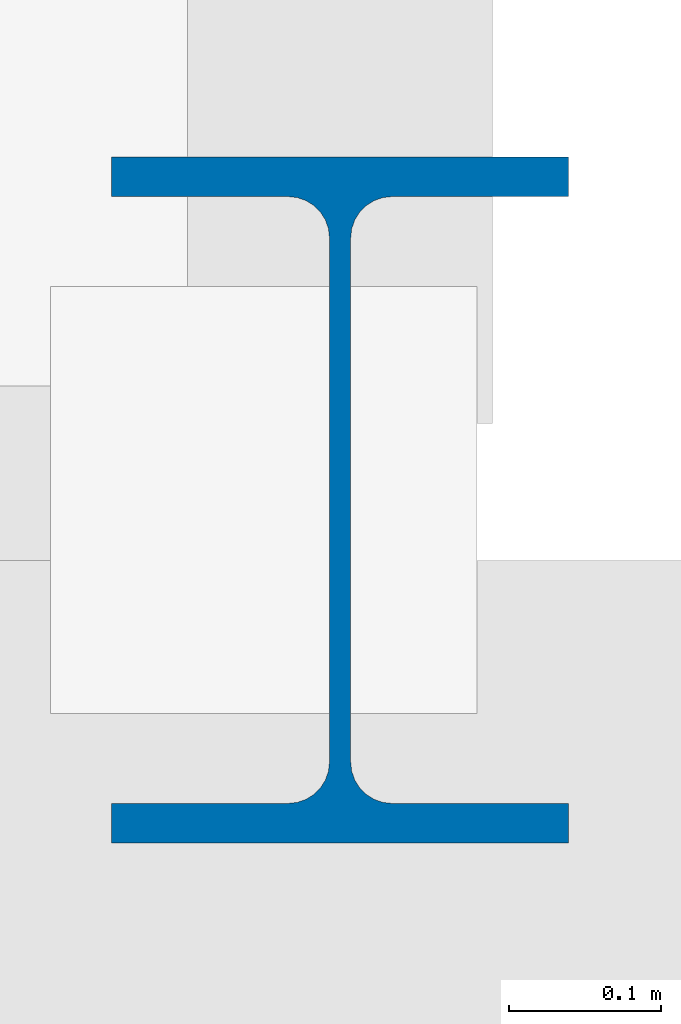
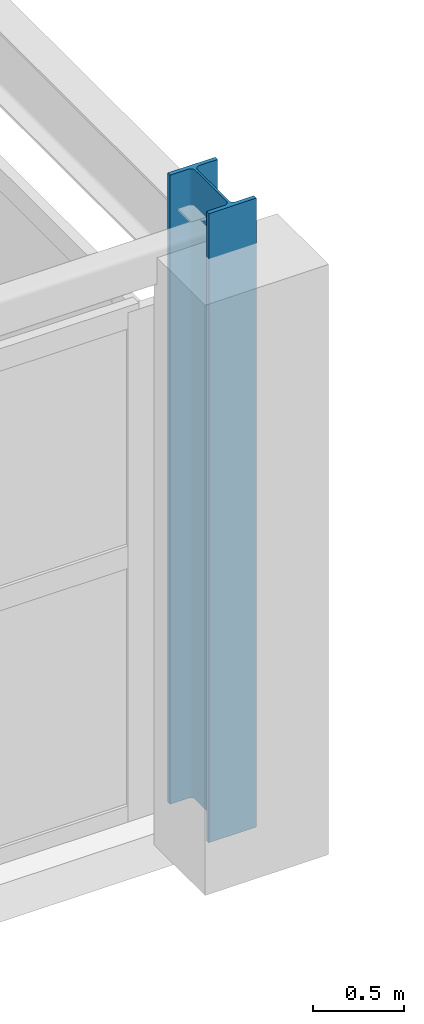
# One storey, part 13 of 81: 1 column.
"""IFC4 building model written with IfcOpenShell, lengths in metres."""

from ifc_helpers import new_model, si_unit, direction, frame, origin, origin_2d, place, context, subcontext, project, spatial, i_section, extrude, material, material_profile, profile_set, type_object, element, save


model = new_model("IFC4")

# Units and contexts
model_context = context("Model", 3, precision=1e-05, world=origin(), true_north=direction((0.0, 1.0)))
body_context = subcontext(model_context, "Body", "Model", "MODEL_VIEW")
ifc_project = project(units=[si_unit("LENGTHUNIT", "METRE"), si_unit("AREAUNIT", "SQUARE_METRE"), si_unit("VOLUMEUNIT", "CUBIC_METRE"), si_unit("PLANEANGLEUNIT", "RADIAN"), si_unit("MASSUNIT", "GRAM", prefix="KILO")], contexts=[model_context])

# Site, building, storey
site_placement = place(None, origin())
site = spatial("IfcSite", under=ifc_project, at=site_placement, CompositionType="ELEMENT")
building_placement = place(site_placement, origin())
building = spatial("IfcBuilding", under=site, at=building_placement, Name="Myrtia Square Station", CompositionType="ELEMENT")
storey_placement = place(building_placement, frame((0.0, 0.0, 10.800048828125)))
storey = spatial("IfcBuildingStorey", under=building, at=storey_placement, Name="L02", CompositionType="ELEMENT", Elevation=10.800048828125)

# Column
ifc_material = material(Name="Steel S355", Category="steel")
ifc_material_profile = material_profile(ifc_material, i_section(OverallWidth=0.300048828125, OverallDepth=0.449951171875, WebThickness=0.013916015625, FlangeThickness=0.02587890625, FilletRadius=0.027099609375, at=origin_2d()), Name="HEB 450")
ifc_profile_set = profile_set([ifc_material_profile], Name="Steel S355")
column_type = type_object("IfcColumnType", Name="COL-HEB450", PredefinedType="COLUMN", material=ifc_profile_set)
column_placement = place(storey_placement, frame((189.0, 86.39990234375, 0.0), z_axis=(0.0, 0.0, 1.0), x_axis=(1.0, 0.0, 0.0)))
element("IfcColumn", 1, at=column_placement, inside=storey, type_object=column_type, Name="Column L02-0991", PredefinedType="COLUMN", context=body_context, shape_type="SweptSolid", body=[
    extrude(i_section(OverallWidth=0.300048828125, OverallDepth=0.449951171875, WebThickness=0.013916015625, FlangeThickness=0.02587890625, FilletRadius=0.027099609375, at=origin_2d()), origin(), (0.0, 0.0, 1.0), 4.199951171875),
])

save(model, "model.ifc")
